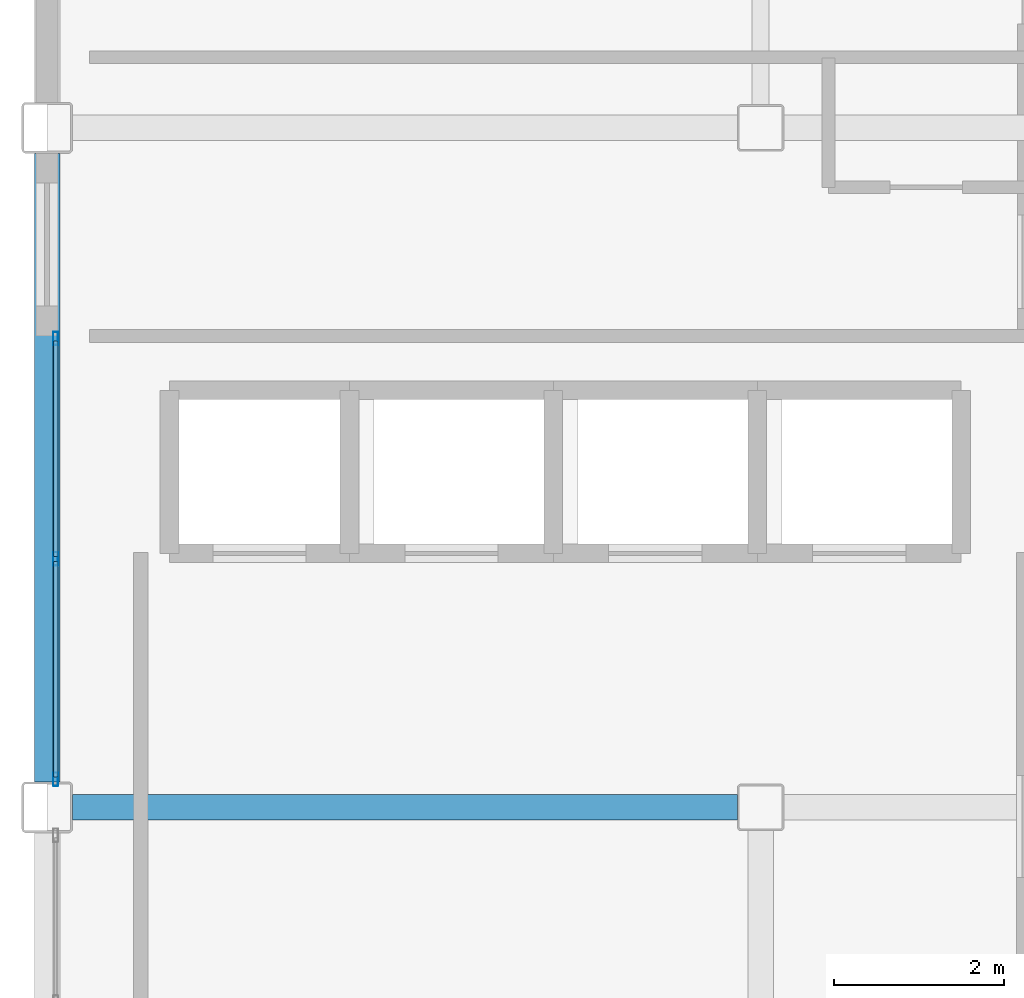
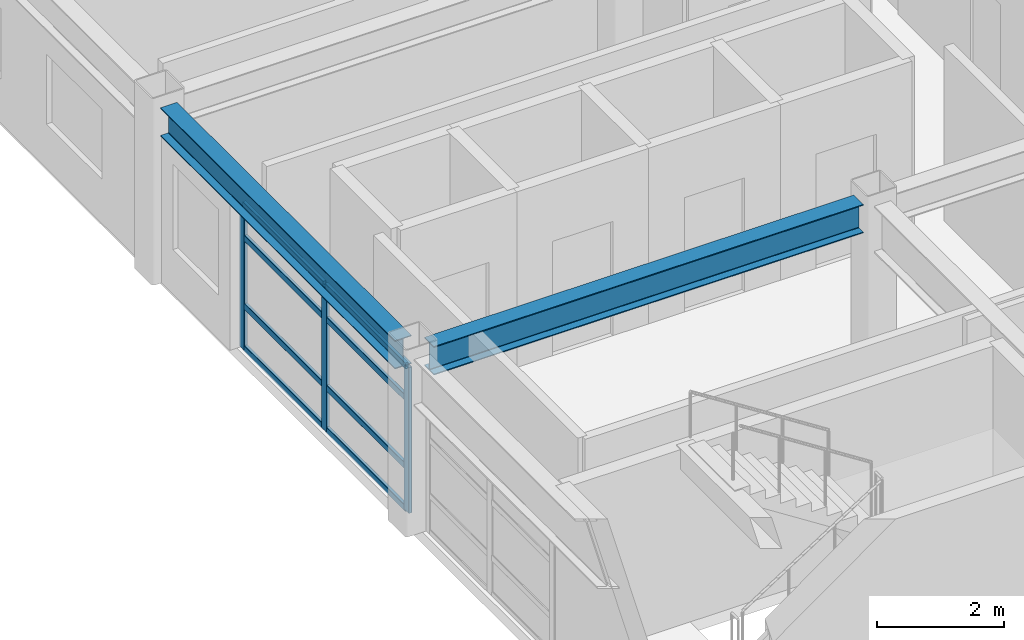
# One storey, part 17 of 36: 11 members, 2 beams, 1 element without a shape of its own.
"""IFC4 building model written with IfcOpenShell, lengths in metres."""

from ifc_helpers import new_model, si_unit, direction, frame, origin, origin_2d, place, context, subcontext, project, spatial, hollow_rectangle, i_section, extrude, material, layer, layer_set, material_profile, profile_set, type_object, element, aggregate, save


model = new_model("IFC4")

# Units and contexts
model_context = context("Model", 3, precision=1e-05, world=origin(), true_north=direction((0.0, 1.0)))
body_context = subcontext(model_context, "Body", "Model", "MODEL_VIEW")
ifc_project = project(units=[si_unit("LENGTHUNIT", "METRE"), si_unit("AREAUNIT", "SQUARE_METRE"), si_unit("VOLUMEUNIT", "CUBIC_METRE"), si_unit("PLANEANGLEUNIT", "RADIAN"), si_unit("MASSUNIT", "GRAM", prefix="KILO")], contexts=[model_context])

# Site, building, storey
site_placement = place(None, origin())
site = spatial("IfcSite", under=ifc_project, at=site_placement, CompositionType="ELEMENT")
building_placement = place(site_placement, origin())
building = spatial("IfcBuilding", under=site, at=building_placement, Name="Kazehara Bluff Congress Hotel", CompositionType="ELEMENT")
storey_placement = place(building_placement, frame((0.0, 0.0, 28.199951171875)))
storey = spatial("IfcBuildingStorey", under=building, at=storey_placement, Name="L06", CompositionType="ELEMENT", Elevation=28.199951171875)

# Curtain wall, members
ifc_material_1 = material(Name="Anodised aluminium", Category="aluminium")
ifc_layer = layer(ifc_material_1, 0.159912109375)
ifc_layer_set = layer_set([ifc_layer], Name="Anodised aluminium")
curtain_wall_type = type_object("IfcCurtainWallType", Name="TP-CW-179", PredefinedType="NOTDEFINED", material=ifc_layer_set)
curtain_wall_placement = place(storey_placement, origin())
curtain_wall = element("IfcCurtainWall", 1, at=curtain_wall_placement, inside=storey, type_object=curtain_wall_type, Name="L06 curtain wall CW-179 CW-ENC-V5-L06-14380-5938", PredefinedType="NOTDEFINED")
ifc_material_2 = material(Name="Anodised aluminium", Category="aluminium")
ifc_material_profile_1 = material_profile(ifc_material_2, hollow_rectangle(XDim=0.06005859375, YDim=0.159912109375, WallThickness=0.00390625, InnerFilletRadius=0.00390625, OuterFilletRadius=0.008056640625, at=origin_2d()))
ifc_profile_set_1 = profile_set([ifc_material_profile_1], Name="Anodised aluminium")
member_type_1 = type_object("IfcMemberType", Name="TP-CWM-01", PredefinedType="MULLION", material=ifc_profile_set_1)
member_1_placement = place(storey_placement, frame((143.800048828125, 56.780029296875, 0.0), z_axis=(0.0, 0.0, 1.0), x_axis=(-1.0, 0.0, 0.0)))
member_1 = element("IfcMember", 2, at=member_1_placement, type_object=member_type_1, Name="CW-179 mullion 1", PredefinedType="MULLION", context=body_context, shape_type="SweptSolid", body=[
    extrude(hollow_rectangle(XDim=0.06005859375, YDim=0.159912109375, WallThickness=0.00390625, InnerFilletRadius=0.00390625, OuterFilletRadius=0.008056640625, at=origin_2d()), origin(), (0.0, 0.0, 1.0), 2.804931640625),
])
member_2_placement = place(storey_placement, frame((143.800048828125, 59.375, 0.0), z_axis=(0.0, 0.0, 1.0), x_axis=(-1.0, 0.0, 0.0)))
member_2 = element("IfcMember", 3, at=member_2_placement, type_object=member_type_1, Name="CW-179 mullion 2", PredefinedType="MULLION", context=body_context, shape_type="SweptSolid", body=[
    extrude(hollow_rectangle(XDim=0.06005859375, YDim=0.159912109375, WallThickness=0.00390625, InnerFilletRadius=0.00390625, OuterFilletRadius=0.008056640625, at=origin_2d()), origin(), (0.0, 0.0, 1.0), 2.804931640625),
])
member_3_placement = place(storey_placement, frame((143.800048828125, 61.969970703125, 0.0), z_axis=(0.0, 0.0, 1.0), x_axis=(-1.0, 0.0, 0.0)))
member_3 = element("IfcMember", 4, at=member_3_placement, type_object=member_type_1, Name="CW-179 mullion 3", PredefinedType="MULLION", context=body_context, shape_type="SweptSolid", body=[
    extrude(hollow_rectangle(XDim=0.06005859375, YDim=0.159912109375, WallThickness=0.00390625, InnerFilletRadius=0.00390625, OuterFilletRadius=0.008056640625, at=origin_2d()), origin(), (0.0, 0.0, 1.0), 2.804931640625),
])
ifc_material_3 = material(Name="Anodised aluminium", Category="aluminium")
ifc_material_profile_2 = material_profile(ifc_material_3, hollow_rectangle(XDim=0.06005859375, YDim=0.1201171875, WallThickness=0.00390625, InnerFilletRadius=0.00390625, OuterFilletRadius=0.008056640625, at=origin_2d()))
ifc_profile_set_2 = profile_set([ifc_material_profile_2], Name="Anodised aluminium")
member_type_2 = type_object("IfcMemberType", Name="TP-CWT-01", PredefinedType="USERDEFINED", material=ifc_profile_set_2)
member_4_placement = place(storey_placement, frame((143.800048828125, 56.81005859375, 0.030029296875), z_axis=(0.0, 1.0, 0.0), x_axis=(-1.0, 0.0, 0.0)))
member_4 = element("IfcMember", 5, at=member_4_placement, type_object=member_type_2, Name="CW-179 transom 1.1", ObjectType="TRANSOM", PredefinedType="USERDEFINED", context=body_context, shape_type="SweptSolid", body=[
    extrude(hollow_rectangle(XDim=0.06005859375, YDim=0.1201171875, WallThickness=0.00390625, InnerFilletRadius=0.00390625, OuterFilletRadius=0.008056640625, at=origin_2d()), origin(), (0.0, 0.0, 1.0), 2.534912109375),
])
member_5_placement = place(storey_placement, frame((143.800048828125, 56.81005859375, 0.840087890625), z_axis=(0.0, 1.0, 0.0), x_axis=(-1.0, 0.0, 0.0)))
member_5 = element("IfcMember", 6, at=member_5_placement, type_object=member_type_2, Name="CW-179 transom 1.2", ObjectType="TRANSOM", PredefinedType="USERDEFINED", context=body_context, shape_type="SweptSolid", body=[
    extrude(hollow_rectangle(XDim=0.06005859375, YDim=0.1201171875, WallThickness=0.00390625, InnerFilletRadius=0.00390625, OuterFilletRadius=0.008056640625, at=origin_2d()), origin(), (0.0, 0.0, 1.0), 2.534912109375),
])
member_6_placement = place(storey_placement, frame((143.800048828125, 56.81005859375, 2.155029296875), z_axis=(0.0, 1.0, 0.0), x_axis=(-1.0, 0.0, 0.0)))
member_6 = element("IfcMember", 7, at=member_6_placement, type_object=member_type_2, Name="CW-179 transom 1.3", ObjectType="TRANSOM", PredefinedType="USERDEFINED", context=body_context, shape_type="SweptSolid", body=[
    extrude(hollow_rectangle(XDim=0.06005859375, YDim=0.1201171875, WallThickness=0.00390625, InnerFilletRadius=0.00390625, OuterFilletRadius=0.008056640625, at=origin_2d()), origin(), (0.0, 0.0, 1.0), 2.534912109375),
])
member_7_placement = place(storey_placement, frame((143.800048828125, 56.81005859375, 2.775146484375), z_axis=(0.0, 1.0, 0.0), x_axis=(-1.0, 0.0, 0.0)))
member_7 = element("IfcMember", 8, at=member_7_placement, type_object=member_type_2, Name="CW-179 transom 1.4", ObjectType="TRANSOM", PredefinedType="USERDEFINED", context=body_context, shape_type="SweptSolid", body=[
    extrude(hollow_rectangle(XDim=0.06005859375, YDim=0.1201171875, WallThickness=0.00390625, InnerFilletRadius=0.00390625, OuterFilletRadius=0.008056640625, at=origin_2d()), origin(), (0.0, 0.0, 1.0), 2.534912109375),
])
member_8_placement = place(storey_placement, frame((143.800048828125, 59.405029296875, 0.030029296875), z_axis=(0.0, 1.0, 0.0), x_axis=(-1.0, 0.0, 0.0)))
member_8 = element("IfcMember", 9, at=member_8_placement, type_object=member_type_2, Name="CW-179 transom 2.1", ObjectType="TRANSOM", PredefinedType="USERDEFINED", context=body_context, shape_type="SweptSolid", body=[
    extrude(hollow_rectangle(XDim=0.06005859375, YDim=0.1201171875, WallThickness=0.00390625, InnerFilletRadius=0.00390625, OuterFilletRadius=0.008056640625, at=origin_2d()), origin(), (0.0, 0.0, 1.0), 2.534912109375),
])
member_9_placement = place(storey_placement, frame((143.800048828125, 59.405029296875, 0.840087890625), z_axis=(0.0, 1.0, 0.0), x_axis=(-1.0, 0.0, 0.0)))
member_9 = element("IfcMember", 10, at=member_9_placement, type_object=member_type_2, Name="CW-179 transom 2.2", ObjectType="TRANSOM", PredefinedType="USERDEFINED", context=body_context, shape_type="SweptSolid", body=[
    extrude(hollow_rectangle(XDim=0.06005859375, YDim=0.1201171875, WallThickness=0.00390625, InnerFilletRadius=0.00390625, OuterFilletRadius=0.008056640625, at=origin_2d()), origin(), (0.0, 0.0, 1.0), 2.534912109375),
])
member_10_placement = place(storey_placement, frame((143.800048828125, 59.405029296875, 2.155029296875), z_axis=(0.0, 1.0, 0.0), x_axis=(-1.0, 0.0, 0.0)))
member_10 = element("IfcMember", 11, at=member_10_placement, type_object=member_type_2, Name="CW-179 transom 2.3", ObjectType="TRANSOM", PredefinedType="USERDEFINED", context=body_context, shape_type="SweptSolid", body=[
    extrude(hollow_rectangle(XDim=0.06005859375, YDim=0.1201171875, WallThickness=0.00390625, InnerFilletRadius=0.00390625, OuterFilletRadius=0.008056640625, at=origin_2d()), origin(), (0.0, 0.0, 1.0), 2.534912109375),
])
member_11_placement = place(storey_placement, frame((143.800048828125, 59.405029296875, 2.775146484375), z_axis=(0.0, 1.0, 0.0), x_axis=(-1.0, 0.0, 0.0)))
member_11 = element("IfcMember", 12, at=member_11_placement, type_object=member_type_2, Name="CW-179 transom 2.4", ObjectType="TRANSOM", PredefinedType="USERDEFINED", context=body_context, shape_type="SweptSolid", body=[
    extrude(hollow_rectangle(XDim=0.06005859375, YDim=0.1201171875, WallThickness=0.00390625, InnerFilletRadius=0.00390625, OuterFilletRadius=0.008056640625, at=origin_2d()), origin(), (0.0, 0.0, 1.0), 2.534912109375),
])
aggregate(curtain_wall, [member_1, member_2, member_3, member_4, member_5, member_6, member_7, member_8, member_9, member_10, member_11])

# Beams
ifc_material_4 = material(Name="Steel SN490B", Category="steel")
ifc_material_profile_3 = material_profile(ifc_material_4, i_section(OverallWidth=0.300048828125, OverallDepth=0.550048828125, WebThickness=0.010986328125, FlangeThickness=0.01806640625, FilletRadius=0.012939453125, at=origin_2d()))
ifc_profile_set_3 = profile_set([ifc_material_profile_3], Name="Steel SN490B")
beam_type_1 = type_object("IfcBeamType", Name="TP-G-12", PredefinedType="BEAM", material=ifc_profile_set_3)
beam_1_placement = place(storey_placement, frame((144.0, 56.449951171875, 3.10498046875), z_axis=(1.0, 0.0, 0.0), x_axis=(0.0, 1.0, 0.0)))
element("IfcBeam", 13, at=beam_1_placement, inside=storey, type_object=beam_type_1, Name="L06 girder G-12 63", PredefinedType="BEAM", context=body_context, shape_type="SweptSolid", body=[
    extrude(i_section(OverallWidth=0.300048828125, OverallDepth=0.550048828125, WebThickness=0.010986328125, FlangeThickness=0.01806640625, FilletRadius=0.012939453125, at=origin_2d()), origin(), (0.0, 0.0, 1.0), 7.824951171875),
])
ifc_material_5 = material(Name="Steel SN490B", Category="steel")
ifc_material_profile_4 = material_profile(ifc_material_5, i_section(OverallWidth=0.300048828125, OverallDepth=0.550048828125, WebThickness=0.010986328125, FlangeThickness=0.01806640625, FilletRadius=0.012939453125, at=origin_2d()))
ifc_profile_set_4 = profile_set([ifc_material_profile_4], Name="Steel SN490B")
beam_type_2 = type_object("IfcBeamType", Name="TP-SP-01", PredefinedType="SPANDREL", material=ifc_profile_set_4)
beam_2_placement = place(storey_placement, frame((143.699951171875, 56.75, 3.10498046875), z_axis=(0.0, 1.0, 0.0), x_axis=(-1.0, 0.0, 0.0)))
element("IfcBeam", 14, at=beam_2_placement, inside=storey, type_object=beam_type_2, Name="L06 girder SP-01 7", PredefinedType="SPANDREL", context=body_context, shape_type="SweptSolid", body=[
    extrude(i_section(OverallWidth=0.300048828125, OverallDepth=0.550048828125, WebThickness=0.010986328125, FlangeThickness=0.01806640625, FilletRadius=0.012939453125, at=origin_2d()), origin(), (0.0, 0.0, 1.0), 7.39990234375),
])

save(model, "model.ifc")
